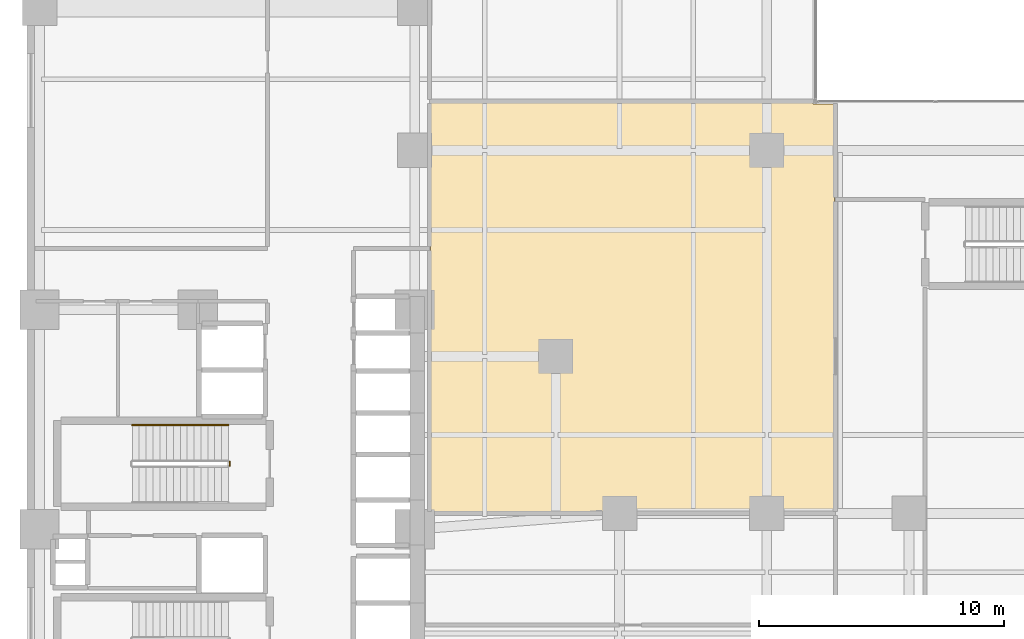
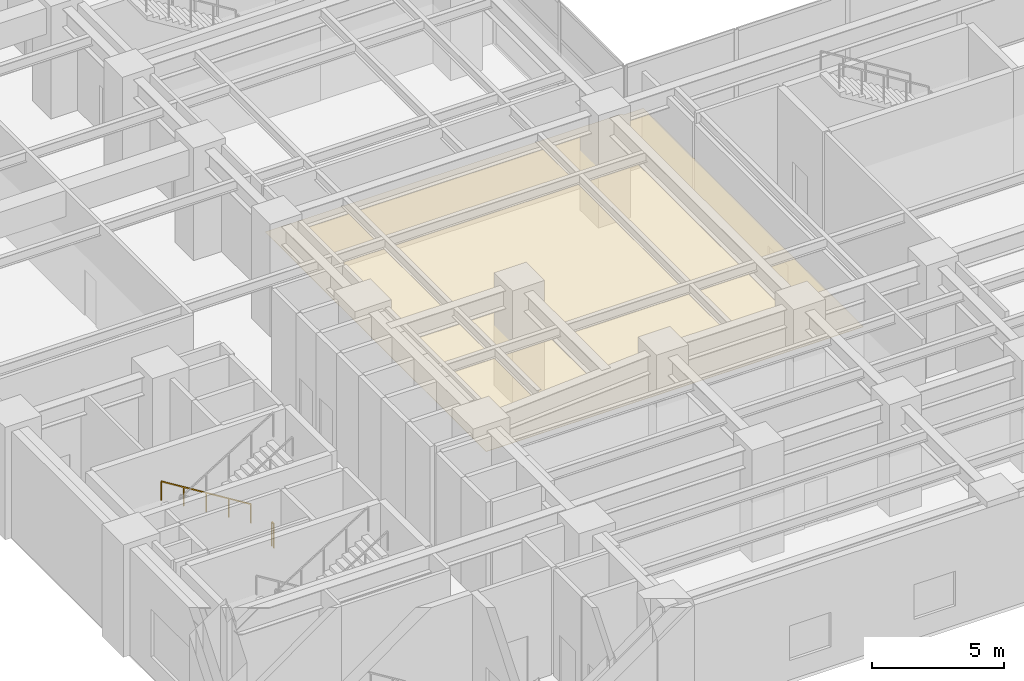
# One storey, part 19 of 22: 2 railings, 1 covering.
"""IFC4 building model written with IfcOpenShell, lengths in metres."""

from ifc_helpers import new_model, si_unit, direction, frame, origin, origin_2d, place, context, subcontext, project, spatial, polyline, rectangle, outline, extrude, material, layer, layer_set, type_object, element, save


model = new_model("IFC4")

# Units and contexts
model_context = context("Model", 3, precision=1e-05, world=origin(), true_north=direction((0.0, 1.0)))
body_context = subcontext(model_context, "Body", "Model", "MODEL_VIEW")
ifc_project = project(units=[si_unit("LENGTHUNIT", "METRE"), si_unit("AREAUNIT", "SQUARE_METRE"), si_unit("VOLUMEUNIT", "CUBIC_METRE"), si_unit("PLANEANGLEUNIT", "RADIAN"), si_unit("MASSUNIT", "GRAM", prefix="KILO")], contexts=[model_context])

# Site, building, storey
site_placement = place(None, origin())
site = spatial("IfcSite", under=ifc_project, at=site_placement, CompositionType="ELEMENT")
building_placement = place(site_placement, origin())
building = spatial("IfcBuilding", under=site, at=building_placement, Name="Mawjaban Terraces University", CompositionType="ELEMENT")
storey_placement = place(building_placement, frame((0.0, 0.0, 10.39990234375)))
storey = spatial("IfcBuildingStorey", under=building, at=storey_placement, Name="L02", CompositionType="ELEMENT", Elevation=10.39990234375)

# Covering
ifc_material_1 = material(Name="Acoustic mineral fibre ceiling tile", Category="masonry")
ifc_layer = layer(ifc_material_1, 0.02001953125)
ifc_layer_set = layer_set([ifc_layer], Name="Acoustic mineral fibre ceiling tile")
covering_type = type_object("IfcCoveringType", Name="AcousticMineralCeiling_20", PredefinedType="CEILING", material=ifc_layer_set)
covering_placement = place(storey_placement, frame((0.0, 0.0, 2.75)))
element("IfcCovering", 1, at=covering_placement, inside=storey, type_object=covering_type, Name="L02 Fixed-Seat Lecture Theatre Acoustic Ceiling", PredefinedType="CEILING", context=body_context, shape_type="SweptSolid", body=[
    extrude(outline(polyline([(54.77001953125, 31.885009765625), (53.885009765625, 31.885009765625), (53.885009765625, 31.969970703125), (38.280029296875, 31.969970703125), (38.280029296875, 15.22998046875), (54.77001953125, 15.22998046875), (54.77001953125, 31.885009765625)])), origin(), (0.0, 0.0, 1.0), 0.02001953125),
])

# Railings
ifc_material_2 = material(Name="Brushed stainless steel 316", Category="steel")
railing_type_1 = type_object("IfcRailingType", Name="StairWallHandrail_900", PredefinedType="HANDRAIL", material=ifc_material_2)
railing_1_placement = place(storey_placement, frame((30.050048828125, 18.800048828125, 0.17333984375)))
element("IfcRailing", 2, at=railing_1_placement, inside=storey, type_object=railing_type_1, Name="L02 ST-2 stair handrail 1", PredefinedType="HANDRAIL", context=body_context, shape_type="SweptSolid", body=[
    extrude(rectangle(XDim=0.048095703125, YDim=0.048095703125, at=origin_2d()), frame((0.0, 0.0, 0.8759765625), z_axis=(-0.850266275192, 0.0, 0.526352791643), x_axis=(0.0, -1.0, 0.0)), (0.0, 0.0, 1.0), 4.610595703125),
    extrude(rectangle(XDim=0.0419921875, YDim=0.0419921875, at=origin_2d()), origin(), (0.0, 0.0, 1.0), 0.851806640625),
    extrude(rectangle(XDim=0.0419921875, YDim=0.0419921875, at=origin_2d()), frame((-0.97998046875, 0.0, 0.606689453125)), (0.0, 0.0, 1.0), 0.851806640625),
    extrude(rectangle(XDim=0.0419921875, YDim=0.0419921875, at=origin_2d()), frame((-1.9599609375, 0.0, 1.21337890625)), (0.0, 0.0, 1.0), 0.851806640625),
    extrude(rectangle(XDim=0.0419921875, YDim=0.0419921875, at=origin_2d()), frame((-2.940185546875, 0.0, 1.820068359375)), (0.0, 0.0, 1.0), 0.851806640625),
    extrude(rectangle(XDim=0.0419921875, YDim=0.0419921875, at=origin_2d()), frame((-3.920166015625, 0.0, 2.4267578125)), (0.0, 0.0, 1.0), 0.851806640625),
])
ifc_material_3 = material(Name="Galvanised painted steel S355", Category="steel")
railing_type_2 = type_object("IfcRailingType", Name="StairWellGuard_1150", PredefinedType="BALUSTRADE", material=ifc_material_3)
railing_2_placement = place(storey_placement, frame((30.10009765625, 17.300048828125, 0.0)))
element("IfcRailing", 3, at=railing_2_placement, inside=storey, type_object=railing_type_2, Name="L02 ST-2 stair guard 4", PredefinedType="BALUSTRADE", context=body_context, shape_type="SweptSolid", body=[
    extrude(rectangle(XDim=0.048095703125, YDim=0.048095703125, at=origin_2d()), frame((0.0, 0.0, 1.1259765625), z_axis=(0.0, -1.0, 0.0), x_axis=(1.0, 0.0, 0.0)), (0.0, 0.0, 1.0), 0.150146484375),
    extrude(rectangle(XDim=0.0419921875, YDim=0.0419921875, at=origin_2d()), origin(), (0.0, 0.0, 1.0), 1.101806640625),
    extrude(rectangle(XDim=0.0419921875, YDim=0.0419921875, at=origin_2d()), frame((0.0, -0.150146484375, 0.0)), (0.0, 0.0, 1.0), 1.101806640625),
])

save(model, "model.ifc")
